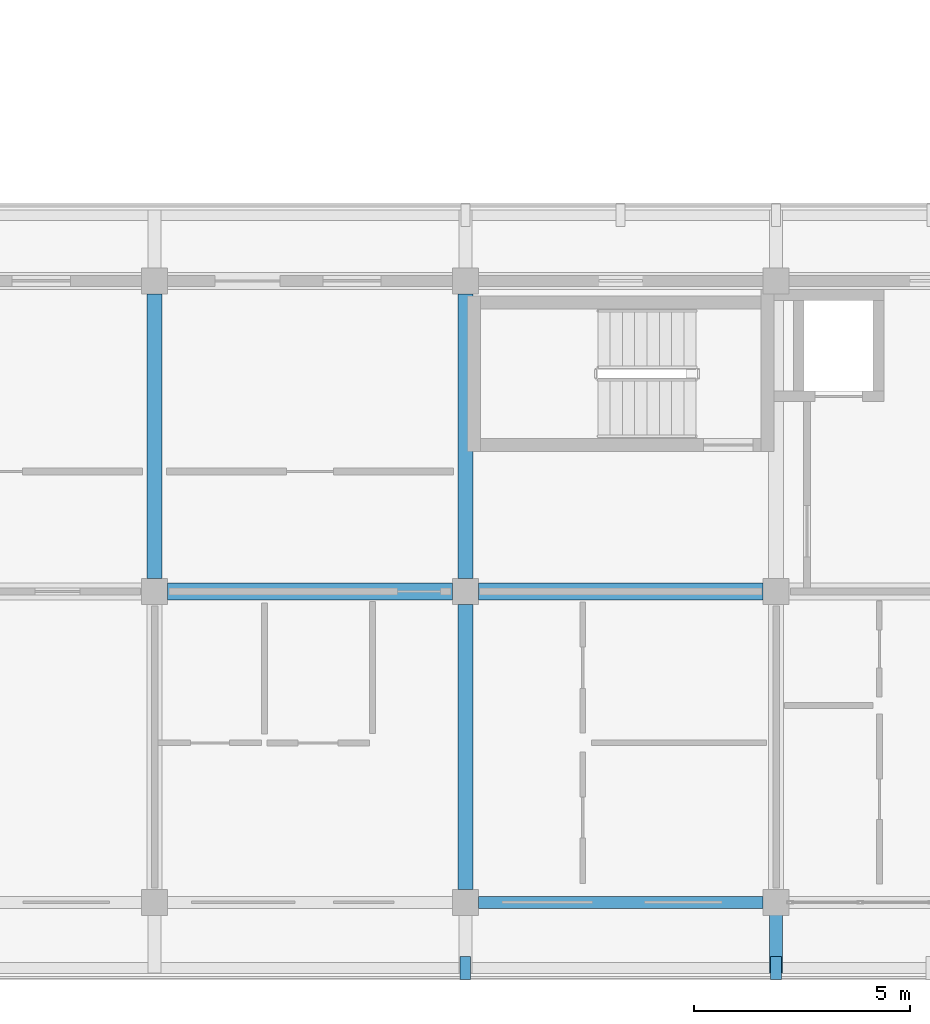
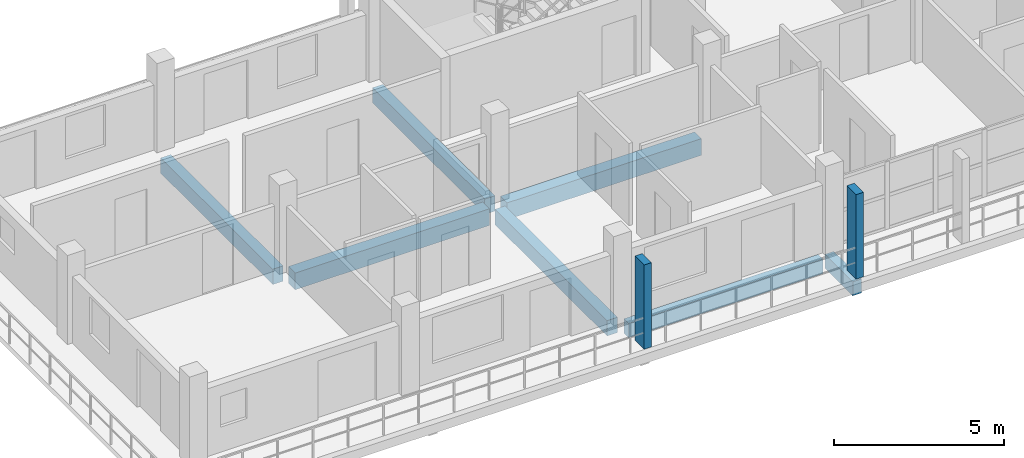
# One storey, part 24 of 78: 7 beams, 2 members.
"""IFC4 building model written with IfcOpenShell, lengths in metres."""

from ifc_helpers import new_model, si_unit, direction, frame, origin, origin_2d, place, context, subcontext, project, spatial, rectangle, extrude, material, material_profile, profile_set, type_object, element, save


model = new_model("IFC4")

# Units and contexts
model_context = context("Model", 3, precision=1e-05, world=origin(), true_north=direction((0.0, 1.0)))
body_context = subcontext(model_context, "Body", "Model", "MODEL_VIEW")
ifc_project = project(units=[si_unit("LENGTHUNIT", "METRE"), si_unit("AREAUNIT", "SQUARE_METRE"), si_unit("VOLUMEUNIT", "CUBIC_METRE"), si_unit("PLANEANGLEUNIT", "RADIAN"), si_unit("MASSUNIT", "GRAM", prefix="KILO")], contexts=[model_context])

# Site, building, storey
site_placement = place(None, origin())
site = spatial("IfcSite", under=ifc_project, at=site_placement, CompositionType="ELEMENT")
building_placement = place(site_placement, origin())
building = spatial("IfcBuilding", under=site, at=building_placement, Name="Suanplinth Sawtooth Commons", CompositionType="ELEMENT")
storey_placement = place(building_placement, frame((0.0, 0.0, 15.39990234375)))
storey = spatial("IfcBuildingStorey", under=building, at=storey_placement, Name="L04", CompositionType="ELEMENT", Elevation=15.39990234375)

# Beams
ifc_material_1 = material(Name="Precast concrete C40/50", Category="concrete")
ifc_material_profile_1 = material_profile(ifc_material_1, rectangle(XDim=0.39990234375, YDim=0.60009765625, at=origin_2d()), Name="PC-GDR 400x600")
ifc_profile_set_1 = profile_set([ifc_material_profile_1], Name="Precast concrete C40/50")
beam_type_1 = type_object("IfcBeamType", Name="B-05", PredefinedType="USERDEFINED", material=ifc_profile_set_1)
beam_1_placement = place(storey_placement, frame((129.89990234375, 7.199951171875, -0.52001953125), z_axis=(1.0, 0.0, 0.0), x_axis=(0.0, 1.0, 0.0)))
element("IfcBeam", 1, at=beam_1_placement, inside=storey, type_object=beam_type_1, Name="BMX-L04-C-18-1", ObjectType="GIRDER", PredefinedType="USERDEFINED", context=body_context, shape_type="SweptSolid", body=[
    extrude(rectangle(XDim=0.39990234375, YDim=0.60009765625, at=origin_2d()), origin(), (0.0, 0.0, 1.0), 6.60009765625),
])
beam_2_placement = place(storey_placement, frame((137.10009765625, 7.199951171875, -0.52001953125), z_axis=(1.0, 0.0, 0.0), x_axis=(0.0, 1.0, 0.0)))
element("IfcBeam", 2, at=beam_2_placement, inside=storey, type_object=beam_type_1, Name="BMX-L04-C-19-1", ObjectType="GIRDER", PredefinedType="USERDEFINED", context=body_context, shape_type="SweptSolid", body=[
    extrude(rectangle(XDim=0.39990234375, YDim=0.60009765625, at=origin_2d()), origin(), (0.0, 0.0, 1.0), 6.599853515625),
])
ifc_material_profile_2 = material_profile(ifc_material_1, rectangle(XDim=0.35009765625, YDim=0.550048828125, at=origin_2d()), Name="PC-BM 350x550")
ifc_profile_set_2 = profile_set([ifc_material_profile_2], Name="Precast concrete C40/50")
beam_type_2 = type_object("IfcBeamType", Name="B-06", PredefinedType="BEAM", material=ifc_profile_set_2)
beam_3_placement = place(storey_placement, frame((129.60009765625, 7.5, -0.494873046875), z_axis=(0.0, 1.0, 0.0), x_axis=(-1.0, 0.0, 0.0)))
element("IfcBeam", 3, at=beam_3_placement, inside=storey, type_object=beam_type_2, Name="BMY-L04-C-18-1", PredefinedType="BEAM", context=body_context, shape_type="SweptSolid", body=[
    extrude(rectangle(XDim=0.35009765625, YDim=0.550048828125, at=origin_2d()), origin(), (0.0, 0.0, 1.0), 6.60009765625),
])
beam_4_placement = place(storey_placement, frame((136.800048828125, 0.300048828125, -0.494873046875), z_axis=(0.0, 1.0, 0.0), x_axis=(-1.0, 0.0, 0.0)))
element("IfcBeam", 4, at=beam_4_placement, inside=storey, type_object=beam_type_2, Name="BMY-L04-C-19-0", PredefinedType="BEAM", context=body_context, shape_type="SweptSolid", body=[
    extrude(rectangle(XDim=0.35009765625, YDim=0.550048828125, at=origin_2d()), origin(), (0.0, 0.0, 1.0), 6.599853515625),
])
beam_5_placement = place(storey_placement, frame((136.800048828125, 7.5, -0.494873046875), z_axis=(0.0, 1.0, 0.0), x_axis=(-1.0, 0.0, 0.0)))
element("IfcBeam", 5, at=beam_5_placement, inside=storey, type_object=beam_type_2, Name="BMY-L04-C-19-1", PredefinedType="BEAM", context=body_context, shape_type="SweptSolid", body=[
    extrude(rectangle(XDim=0.35009765625, YDim=0.550048828125, at=origin_2d()), origin(), (0.0, 0.0, 1.0), 6.60009765625),
])
ifc_material_profile_3 = material_profile(ifc_material_1, rectangle(XDim=0.300048828125, YDim=0.5, at=origin_2d()), Name="PC-BM 300x500")
ifc_profile_set_3 = profile_set([ifc_material_profile_3], Name="Precast concrete C40/50")
beam_type_3 = type_object("IfcBeamType", Name="B-07", PredefinedType="BEAM", material=ifc_profile_set_3)
beam_6_placement = place(storey_placement, frame((144.0, 0.0, -0.429931640625), z_axis=(0.0, -1.0, 0.0), x_axis=(1.0, 0.0, 0.0)))
element("IfcBeam", 6, at=beam_6_placement, inside=storey, type_object=beam_type_3, Name="Balcony Outrigger L04-C-S-20", PredefinedType="BEAM", context=body_context, shape_type="SweptSolid", body=[
    extrude(rectangle(XDim=0.300048828125, YDim=0.5, at=origin_2d()), origin(), (0.0, 0.0, 1.0), 1.639892578125),
])
ifc_material_profile_4 = material_profile(ifc_material_1, rectangle(XDim=0.280029296875, YDim=0.52001953125, at=origin_2d()), Name="PC-SP 280x520")
ifc_profile_set_4 = profile_set([ifc_material_profile_4], Name="Precast concrete C40/50")
beam_type_4 = type_object("IfcBeamType", Name="B-08", PredefinedType="SPANDREL", material=ifc_profile_set_4)
beam_7_placement = place(storey_placement, frame((137.10009765625, 0.0, -0.47998046875), z_axis=(1.0, 0.0, 0.0), x_axis=(0.0, 1.0, 0.0)))
element("IfcBeam", 7, at=beam_7_placement, inside=storey, type_object=beam_type_4, Name="BMX-L04-C-19-0", PredefinedType="SPANDREL", context=body_context, shape_type="SweptSolid", body=[
    extrude(rectangle(XDim=0.280029296875, YDim=0.52001953125, at=origin_2d()), origin(), (0.0, 0.0, 1.0), 6.599853515625),
])

# Members
ifc_material_2 = material(Name="Pigmented precast concrete C40/50", Category="concrete")
ifc_material_profile_5 = material_profile(ifc_material_2, rectangle(XDim=0.25, YDim=0.5400390625, at=origin_2d()), Name="PC-FIN 250x540")
ifc_profile_set_5 = profile_set([ifc_material_profile_5], Name="Pigmented precast concrete C40/50")
member_type = type_object("IfcMemberType", Name="M-11", PredefinedType="USERDEFINED", material=ifc_profile_set_5)
for number, where, z_axis, x_axis, name in (
    (8, (136.800048828125, -1.52001953125, 0.0), (0.0, 0.0, 1.0), (1.0, 0.0, 0.0), "Upright Solar Blade L04-C-S-01"),
    (9, (144.0, -1.52001953125, 0.0), (0.0, 0.0, 1.0), (1.0, 0.0, 0.0), "Upright Solar Blade L04-C-S-02"),
):
    element("IfcMember", number, at=place(storey_placement, frame(where, z_axis=z_axis, x_axis=x_axis)), inside=storey, type_object=member_type, Name=name, ObjectType="SHADING FIN", PredefinedType="USERDEFINED", context=body_context, shape_type="SweptSolid", body=[
        extrude(rectangle(XDim=0.25, YDim=0.5400390625, at=origin_2d()), origin(), (0.0, 0.0, 1.0), 3.030029296875),
    ])

save(model, "model.ifc")
